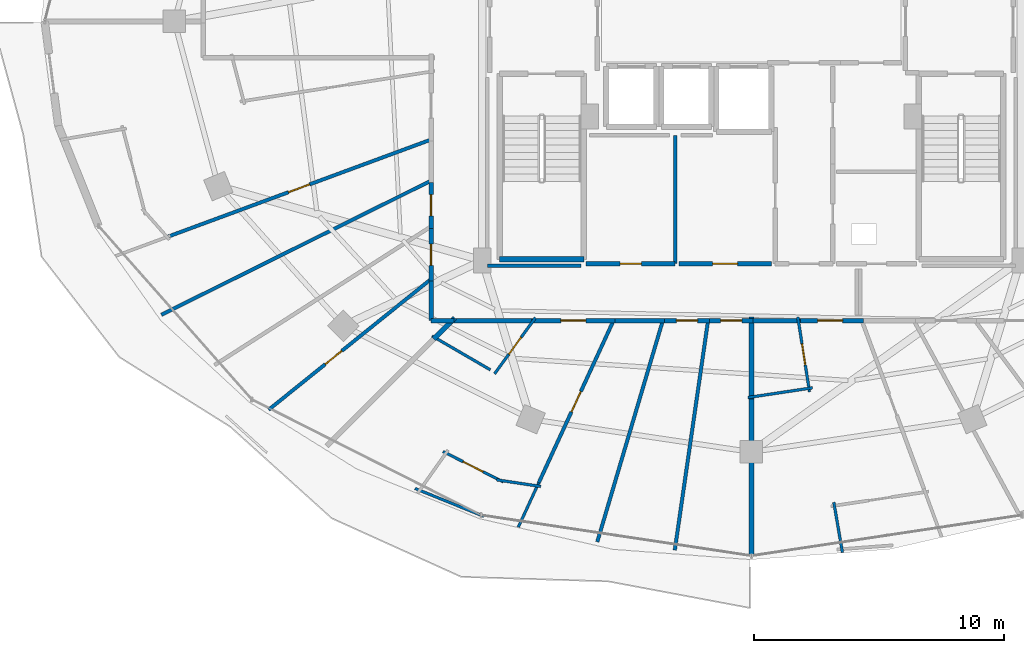
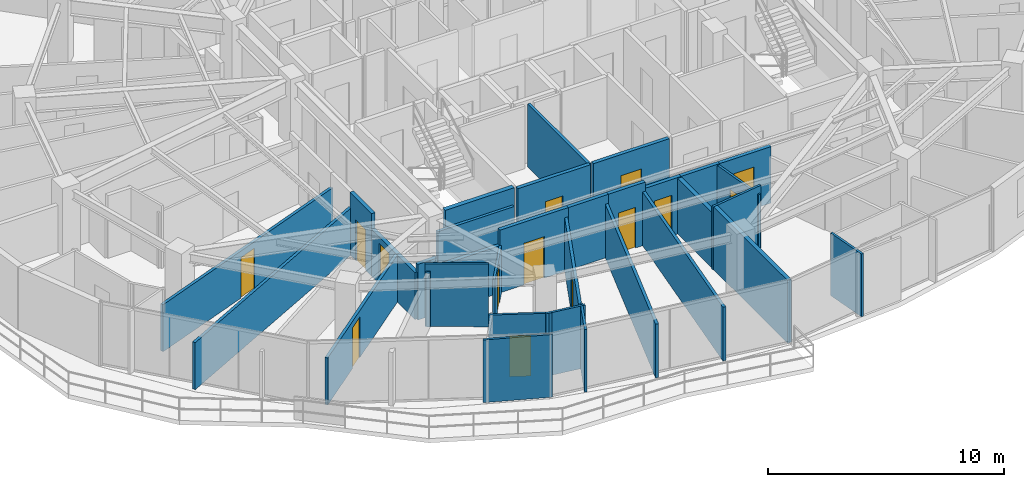
# One storey, part 24 of 34: 34 walls, 14 doors, 14 openings.
"""IFC4 building model written with IfcOpenShell, lengths in metres."""

from ifc_helpers import new_model, si_unit, direction, frame, frame_2d, origin, place, context, subcontext, project, spatial, rectangle, extrude, material, layer, layer_set, type_object, element, fill, save


model = new_model("IFC4")

# Units and contexts
model_context = context("Model", 3, precision=1e-05, world=origin(), true_north=direction((0.0, 1.0)))
body_context = subcontext(model_context, "Body", "Model", "MODEL_VIEW")
ifc_project = project(units=[si_unit("LENGTHUNIT", "METRE"), si_unit("AREAUNIT", "SQUARE_METRE"), si_unit("VOLUMEUNIT", "CUBIC_METRE"), si_unit("PLANEANGLEUNIT", "RADIAN"), si_unit("MASSUNIT", "GRAM", prefix="KILO")], contexts=[model_context])

# Site, building, storey
site_placement = place(None, origin())
site = spatial("IfcSite", under=ifc_project, at=site_placement, CompositionType="ELEMENT")
building_placement = place(site_placement, origin())
building = spatial("IfcBuilding", under=site, at=building_placement, Name="Vorneva Point Tower", CompositionType="ELEMENT")
storey_placement = place(building_placement, frame((0.0, 0.0, 186.10009765625)))
storey = spatial("IfcBuildingStorey", under=building, at=storey_placement, Name="L50", CompositionType="ELEMENT", Elevation=186.10009765625)

# Wall, opening, door
ifc_material_1 = material(Name="Fire-rated acoustic gypsum stud partition", Category="gypsum")
ifc_layer_1 = layer(ifc_material_1, 0.110107421875)
ifc_layer_set_1 = layer_set([ifc_layer_1], Name="Fire-rated acoustic gypsum stud partition")
wall_type_1 = type_object("IfcWallType", Name="WL-PART-110", PredefinedType="PARTITIONING", material=ifc_layer_set_1)
wall_1_placement = place(storey_placement, frame((29.37158203125, 14.1630859375, 0.0), z_axis=(0.0, 0.0, 1.0), x_axis=(-0.589066743954, -0.808084383693, 0.0)))
wall_1 = element("IfcWall", 1, at=wall_1_placement, inside=storey, type_object=wall_type_1, Name="L50 Interior Partition 163", PredefinedType="PARTITIONING", context=body_context, shape_type="SweptSolid", body=[
    extrude(rectangle(XDim=2.772216796875, YDim=0.110107421875, at=frame_2d((1.38623046875, 0.0))), origin(), (0.0, 0.0, 1.0), 2.431884765625),
])
opening_1_placement = place(wall_1_placement, frame((0.961181640625, 0.0, 0.0)))
opening_1 = element("IfcOpeningElement", 2, at=opening_1_placement, cuts=wall_1, Name="Opening ID-02", PredefinedType="OPENING", context=body_context, shape_type="SweptSolid", body=[
    extrude(rectangle(XDim=0.85009765625, YDim=2.10009765625, at=frame_2d((0.425048828125, 1.050048828125))), frame((0.0, 0.06982421875, 0.0), z_axis=(0.0, -1.0, 0.0), x_axis=(1.0, 0.0, 0.0)), (0.0, 0.0, 1.0), 0.139892578125),
])
ifc_material_2 = material(Name="Engineered oak fire-rated door leaf", Category="wood")
door_type_1 = type_object("IfcDoorType", Name="DR-BATH-850", OperationType="NOTDEFINED", PredefinedType="DOOR", material=ifc_material_2)
door_1_placement = place(opening_1_placement, origin())
door_1 = element("IfcDoor", 3, at=door_1_placement, inside=storey, type_object=door_type_1, Name="L50 Door Living and Dining Room L50-06 / Bathroom L50-06", OperationType="SINGLE_SWING_LEFT", OverallHeight=2.10009765625, OverallWidth=0.85009765625, PredefinedType="DOOR", context=body_context, shape_type="SweptSolid", body=[
    extrude(rectangle(XDim=0.85009765625, YDim=2.10009765625, at=frame_2d((0.425048828125, 1.050048828125))), frame((0.0, 0.02490234375, 0.0), z_axis=(0.0, -1.0, 0.0), x_axis=(1.0, 0.0, 0.0)), (0.0, 0.0, 1.0), 0.050048828125),
])
fill(opening_1, door_1)

# Wall
wall_2_placement = place(storey_placement, frame((27.568115234375, 12.08251953125, 0.0), z_axis=(0.0, 0.0, 1.0), x_axis=(-0.864515441931, 0.502606258082, 0.0)))
element("IfcWall", 4, at=wall_2_placement, inside=storey, type_object=wall_type_1, Name="L50 Interior Partition 164", PredefinedType="PARTITIONING", context=body_context, shape_type="SweptSolid", body=[
    extrude(rectangle(XDim=2.689697265625, YDim=0.110107421875, at=frame_2d((1.3447265625, 0.0))), origin(), (0.0, 0.0, 1.0), 3.239990234375),
])

# Wall, opening, door
wall_3_placement = place(storey_placement, frame((25.675048828125, 8.820068359375, 0.0), z_axis=(0.0, 0.0, 1.0), x_axis=(0.892628057427, -0.450793911999, 0.0)))
wall_3 = element("IfcWall", 5, at=wall_3_placement, inside=storey, type_object=wall_type_1, Name="L50 Interior Partition 166", PredefinedType="PARTITIONING", context=body_context, shape_type="SweptSolid", body=[
    extrude(rectangle(XDim=2.697509765625, YDim=0.110107421875, at=frame_2d((1.3486328125, 0.0))), origin(), (0.0, 0.0, 1.0), 3.239990234375),
])
opening_2_placement = place(wall_3_placement, frame((0.89892578125, 0.0, 0.0)))
opening_2 = element("IfcOpeningElement", 6, at=opening_2_placement, cuts=wall_3, Name="Opening ID-01", PredefinedType="OPENING", context=body_context, shape_type="SweptSolid", body=[
    extrude(rectangle(XDim=0.89990234375, YDim=2.10009765625, at=frame_2d((0.449951171875, 1.050048828125))), frame((0.0, 0.06982421875, 0.0), z_axis=(0.0, -1.0, 0.0), x_axis=(1.0, 0.0, 0.0)), (0.0, 0.0, 1.0), 0.139892578125),
])
door_type_2 = type_object("IfcDoorType", Name="DR-ROOM-900", OperationType="NOTDEFINED", PredefinedType="DOOR", material=ifc_material_2)
door_2_placement = place(opening_2_placement, origin())
door_2 = element("IfcDoor", 7, at=door_2_placement, inside=storey, type_object=door_type_2, Name="L50 Door Living and Dining Room L50-06 / Kitchen L50-06", OperationType="SINGLE_SWING_LEFT", OverallHeight=2.10009765625, OverallWidth=0.89990234375, PredefinedType="DOOR", context=body_context, shape_type="SweptSolid", body=[
    extrude(rectangle(XDim=0.89990234375, YDim=2.10009765625, at=frame_2d((0.449951171875, 1.050048828125))), frame((0.0, 0.02490234375, 0.0), z_axis=(0.0, -1.0, 0.0), x_axis=(1.0, 0.0, 0.0)), (0.0, 0.0, 1.0), 0.050048828125),
])
fill(opening_2, door_2)

# Walls
wall_4_placement = place(storey_placement, frame((27.819580078125, 7.68798828125, 0.0), z_axis=(0.0, 0.0, 1.0), x_axis=(0.988830695744, -0.149043131857, 0.0)))
element("IfcWall", 8, at=wall_4_placement, inside=storey, type_object=wall_type_1, Name="L50 Interior Partition 167", PredefinedType="PARTITIONING", context=body_context, shape_type="SweptSolid", body=[
    extrude(rectangle(XDim=1.783935546875, YDim=0.110107421875, at=frame_2d((0.89208984375, 0.0))), origin(), (0.0, 0.0, 1.0), 3.239990234375),
])
wall_5_placement = place(storey_placement, frame((29.503662109375, 7.570068359375, 0.0), z_axis=(0.0, 0.0, 1.0), x_axis=(-0.418662115749, -0.908142077451, 0.0)))
element("IfcWall", 9, at=wall_5_placement, inside=storey, type_object=wall_type_1, Name="L50 Interior Partition 168", PredefinedType="PARTITIONING", context=body_context, shape_type="SweptSolid", body=[
    extrude(rectangle(XDim=1.95458984375, YDim=0.110107421875, at=frame_2d((0.977294921875, 0.0))), origin(), (0.0, 0.0, 1.0), 3.239990234375),
])
wall_6_placement = place(storey_placement, frame((24.561279296875, 7.342529296875, 0.0), z_axis=(0.0, 0.0, 1.0), x_axis=(0.926858319785, -0.375411314487, 0.0)))
element("IfcWall", 10, at=wall_6_placement, inside=storey, type_object=wall_type_1, Name="L50 Interior Partition 169", PredefinedType="PARTITIONING", context=body_context, shape_type="SweptSolid", body=[
    extrude(rectangle(XDim=2.970703125, YDim=0.110107421875, at=frame_2d((1.4853515625, 0.0))), origin(), (0.0, 0.0, 1.0), 3.239990234375),
])

# Wall, opening, door
wall_7_placement = place(storey_placement, frame((39.851318359375, 14.188232421875, 0.0), z_axis=(0.0, 0.0, 1.0), x_axis=(0.154995605388, -0.98791515947, 0.0)))
wall_7 = element("IfcWall", 11, at=wall_7_placement, inside=storey, type_object=wall_type_1, Name="L50 Interior Partition 175", PredefinedType="PARTITIONING", context=body_context, shape_type="SweptSolid", body=[
    extrude(rectangle(XDim=3.021240234375, YDim=0.110107421875, at=frame_2d((1.5107421875, 0.0))), origin(), (0.0, 0.0, 1.0), 2.8740234375),
])
opening_3_placement = place(wall_7_placement, frame((1.085693359375, 0.0, 0.0)))
opening_3 = element("IfcOpeningElement", 12, at=opening_3_placement, cuts=wall_7, Name="Opening ID-02", PredefinedType="OPENING", context=body_context, shape_type="SweptSolid", body=[
    extrude(rectangle(XDim=0.85009765625, YDim=2.10009765625, at=frame_2d((0.425048828125, 1.050048828125))), frame((0.0, 0.06982421875, 0.0), z_axis=(0.0, -1.0, 0.0), x_axis=(1.0, 0.0, 0.0)), (0.0, 0.0, 1.0), 0.139892578125),
])
door_3_placement = place(opening_3_placement, origin())
door_3 = element("IfcDoor", 13, at=door_3_placement, inside=storey, type_object=door_type_1, Name="L50 Door Living and Dining Room L50-07 / Bathroom L50-07", OperationType="SINGLE_SWING_LEFT", OverallHeight=2.10009765625, OverallWidth=0.85009765625, PredefinedType="DOOR", context=body_context, shape_type="SweptSolid", body=[
    extrude(rectangle(XDim=0.85009765625, YDim=2.10009765625, at=frame_2d((0.425048828125, 1.050048828125))), frame((0.0, 0.02490234375, 0.0), z_axis=(0.0, -1.0, 0.0), x_axis=(1.0, 0.0, 0.0)), (0.0, 0.0, 1.0), 0.050048828125),
])
fill(opening_3, door_3)

# Walls
wall_8_placement = place(storey_placement, frame((40.436279296875, 11.36279296875, 0.0), z_axis=(0.0, 0.0, 1.0), x_axis=(-0.988852287037, -0.148899813371, 0.0)))
element("IfcWall", 14, at=wall_8_placement, inside=storey, type_object=wall_type_1, Name="L50 Interior Partition 176", PredefinedType="PARTITIONING", context=body_context, shape_type="SweptSolid", body=[
    extrude(rectangle(XDim=2.603759765625, YDim=0.110107421875, at=frame_2d((1.3017578125, 0.0))), origin(), (0.0, 0.0, 1.0), 3.239990234375),
])
wall_9_placement = place(storey_placement, frame((41.634521484375, 4.781982421875, 0.0), z_axis=(0.0, 0.0, 1.0), x_axis=(-0.168804313657, 0.985649584635, 0.0)))
element("IfcWall", 15, at=wall_9_placement, inside=storey, type_object=wall_type_1, Name="L50 Interior Partition 177", PredefinedType="PARTITIONING", context=body_context, shape_type="SweptSolid", body=[
    extrude(rectangle(XDim=2.039306640625, YDim=0.110107421875, at=frame_2d((1.01953125, 0.0))), origin(), (0.0, 0.0, 1.0), 3.239990234375),
])
ifc_layer_2 = layer(ifc_material_1, 0.139892578125)
ifc_layer_set_2 = layer_set([ifc_layer_2], Name="Fire-rated acoustic gypsum stud partition")
wall_type_2 = type_object("IfcWallType", Name="WL-PART-140", PredefinedType="PARTITIONING", material=ifc_layer_set_2)
wall_10_placement = place(storey_placement, frame((34.949951171875, 16.320068359375, 0.0), z_axis=(0.0, 0.0, 1.0), x_axis=(0.0, 1.0, 0.0)))
element("IfcWall", 16, at=wall_10_placement, inside=storey, type_object=wall_type_2, Name="L50 Interior Partition 031", PredefinedType="PARTITIONING", context=body_context, shape_type="SweptSolid", body=[
    extrude(rectangle(XDim=5.1298828125, YDim=0.139892578125, at=frame_2d((2.56494140625, 0.0))), origin(), (0.0, 0.0, 1.0), 3.239990234375),
])

# Wall, opening, door
wall_11_placement = place(storey_placement, frame((14.656982421875, 17.387939453125, 0.0), z_axis=(0.0, 0.0, 1.0), x_axis=(0.938173124492, 0.346166417322, 0.0)))
wall_11 = element("IfcWall", 17, at=wall_11_placement, inside=storey, type_object=wall_type_2, Name="L50 Interior Partition 156", PredefinedType="PARTITIONING", context=body_context, shape_type="SweptSolid", body=[
    extrude(rectangle(XDim=11.23779296875, YDim=0.139892578125, at=frame_2d((5.618896484375, 0.0))), origin(), (0.0, 0.0, 1.0), 2.431884765625),
])
opening_4_placement = place(wall_11_placement, frame((5.1689453125, 0.0, 0.0)))
opening_4 = element("IfcOpeningElement", 18, at=opening_4_placement, cuts=wall_11, Name="Opening ID-01", PredefinedType="OPENING", context=body_context, shape_type="SweptSolid", body=[
    extrude(rectangle(XDim=0.89990234375, YDim=2.10009765625, at=frame_2d((0.449951171875, 1.050048828125))), frame((0.0, 0.0849609375, 0.0), z_axis=(0.0, -1.0, 0.0), x_axis=(1.0, 0.0, 0.0)), (0.0, 0.0, 1.0), 0.169677734375),
])
door_4_placement = place(opening_4_placement, origin())
door_4 = element("IfcDoor", 19, at=door_4_placement, inside=storey, type_object=door_type_2, Name="L50 Door Living and Dining Room L50-05 / Master Bedroom L50-05.1", OperationType="SINGLE_SWING_RIGHT", OverallHeight=2.10009765625, OverallWidth=0.89990234375, PredefinedType="DOOR", context=body_context, shape_type="SweptSolid", body=[
    extrude(rectangle(XDim=0.89990234375, YDim=2.10009765625, at=frame_2d((0.449951171875, 1.050048828125))), frame((0.0, 0.02490234375, 0.0), z_axis=(0.0, -1.0, 0.0), x_axis=(1.0, 0.0, 0.0)), (0.0, 0.0, 1.0), 0.050048828125),
])
fill(opening_4, door_4)

# Wall
wall_12_placement = place(storey_placement, frame((14.427978515625, 14.280029296875, 0.0), z_axis=(0.0, 0.0, 1.0), x_axis=(0.895423439435, 0.44521552546, 0.0)))
element("IfcWall", 20, at=wall_12_placement, inside=storey, type_object=wall_type_2, Name="L50 Interior Partition 158", PredefinedType="PARTITIONING", context=body_context, shape_type="SweptSolid", body=[
    extrude(rectangle(XDim=12.030029296875, YDim=0.139892578125, at=frame_2d((6.01513671875, 0.0))), origin(), (0.0, 0.0, 1.0), 2.431884765625),
])

# Wall, opening, door
wall_13_placement = place(storey_placement, frame((18.715087890625, 10.487060546875, 0.0), z_axis=(0.0, 0.0, 1.0), x_axis=(0.779157389419, 0.626828335762, 0.0)))
wall_13 = element("IfcWall", 21, at=wall_13_placement, inside=storey, type_object=wall_type_2, Name="L50 Interior Partition 160", PredefinedType="PARTITIONING", context=body_context, shape_type="SweptSolid", body=[
    extrude(rectangle(XDim=8.322998046875, YDim=0.139892578125, at=frame_2d((4.16162109375, 0.0))), origin(), (0.0, 0.0, 1.0), 2.431884765625),
])
opening_5_placement = place(wall_13_placement, frame((2.896484375, 0.0, 0.0)))
opening_5 = element("IfcOpeningElement", 22, at=opening_5_placement, cuts=wall_13, Name="Opening ID-02", PredefinedType="OPENING", context=body_context, shape_type="SweptSolid", body=[
    extrude(rectangle(XDim=0.85009765625, YDim=2.10009765625, at=frame_2d((0.425048828125, 1.050048828125))), frame((0.0, 0.0849609375, 0.0), z_axis=(0.0, -1.0, 0.0), x_axis=(1.0, 0.0, 0.0)), (0.0, 0.0, 1.0), 0.169677734375),
])
door_5_placement = place(opening_5_placement, origin())
door_5 = element("IfcDoor", 23, at=door_5_placement, inside=storey, type_object=door_type_1, Name="L50 Access Door Bedroom L50-05.3", OperationType="SINGLE_SWING_LEFT", OverallHeight=2.10009765625, OverallWidth=0.85009765625, PredefinedType="DOOR", context=body_context, shape_type="SweptSolid", body=[
    extrude(rectangle(XDim=0.85009765625, YDim=2.10009765625, at=frame_2d((0.425048828125, 1.050048828125))), frame((0.0, 0.02490234375, 0.0), z_axis=(0.0, -1.0, 0.0), x_axis=(1.0, 0.0, 0.0)), (0.0, 0.0, 1.0), 0.050048828125),
])
fill(opening_5, door_5)

wall_14_placement = place(storey_placement, frame((29.503662109375, 7.570068359375, 0.0), z_axis=(0.0, 0.0, 1.0), x_axis=(0.418658902348, 0.908143558852, 0.0)))
wall_14 = element("IfcWall", 24, at=wall_14_placement, inside=storey, type_object=wall_type_2, Name="L50 Interior Partition 170", PredefinedType="PARTITIONING", context=body_context, shape_type="SweptSolid", body=[
    extrude(rectangle(XDim=7.135498046875, YDim=0.139892578125, at=frame_2d((3.56787109375, 0.0))), origin(), (0.0, 0.0, 1.0), 2.77392578125),
])
opening_6_placement = place(wall_14_placement, frame((3.11767578125, 0.0, 0.0)))
opening_6 = element("IfcOpeningElement", 25, at=opening_6_placement, cuts=wall_14, Name="Opening ID-01", PredefinedType="OPENING", context=body_context, shape_type="SweptSolid", body=[
    extrude(rectangle(XDim=0.89990234375, YDim=2.10009765625, at=frame_2d((0.449951171875, 1.050048828125))), frame((0.0, 0.0849609375, 0.0), z_axis=(0.0, -1.0, 0.0), x_axis=(1.0, 0.0, 0.0)), (0.0, 0.0, 1.0), 0.169677734375),
])
door_6_placement = place(opening_6_placement, origin())
door_6 = element("IfcDoor", 26, at=door_6_placement, inside=storey, type_object=door_type_2, Name="L50 Door Living and Dining Room L50-06 / Master Bedroom L50-06.1", OperationType="SINGLE_SWING_RIGHT", OverallHeight=2.10009765625, OverallWidth=0.89990234375, PredefinedType="DOOR", context=body_context, shape_type="SweptSolid", body=[
    extrude(rectangle(XDim=0.89990234375, YDim=2.10009765625, at=frame_2d((0.449951171875, 1.050048828125))), frame((0.0, 0.02490234375, 0.0), z_axis=(0.0, -1.0, 0.0), x_axis=(1.0, 0.0, 0.0)), (0.0, 0.0, 1.0), 0.050048828125),
])
fill(opening_6, door_6)

# Walls
wall_15_placement = place(storey_placement, frame((31.842041015625, 5.2099609375, 0.0), z_axis=(0.0, 0.0, 1.0), x_axis=(0.283952183478, 0.958838441813, 0.0)))
element("IfcWall", 27, at=wall_15_placement, inside=storey, type_object=wall_type_2, Name="L50 Interior Partition 171", PredefinedType="PARTITIONING", context=body_context, shape_type="SweptSolid", body=[
    extrude(rectangle(XDim=9.219482421875, YDim=0.139892578125, at=frame_2d((4.60986328125, 0.0))), origin(), (0.0, 0.0, 1.0), 2.77392578125),
])
wall_16_placement = place(storey_placement, frame((34.93798828125, 4.87890625, 0.0), z_axis=(0.0, 0.0, 1.0), x_axis=(0.143423836858, 0.989661357749, 0.0)))
element("IfcWall", 28, at=wall_16_placement, inside=storey, type_object=wall_type_2, Name="L50 Interior Partition 172", PredefinedType="PARTITIONING", context=body_context, shape_type="SweptSolid", body=[
    extrude(rectangle(XDim=9.266845703125, YDim=0.139892578125, at=frame_2d((4.63330078125, 0.0))), origin(), (0.0, 0.0, 1.0), 2.77392578125),
])
wall_17_placement = place(storey_placement, frame((27.449951171875, 16.239990234375, 0.0), z_axis=(0.0, 0.0, 1.0), x_axis=(1.0, 0.0, 0.0)))
element("IfcWall", 29, at=wall_17_placement, inside=storey, type_object=wall_type_2, Name="L50 Interior Closure Partition 213", PredefinedType="PARTITIONING", context=body_context, shape_type="SweptSolid", body=[
    extrude(rectangle(XDim=3.7451171875, YDim=0.139892578125, at=frame_2d((1.87255859375, 0.0))), origin(), (0.0, 0.0, 1.0), 2.431884765625),
])

# Wall, opening, door
ifc_material_3 = material(Name="Autoclaved aerated concrete blockwork", Category="masonry")
ifc_layer_3 = layer(ifc_material_3, 0.179931640625)
ifc_layer_set_3 = layer_set([ifc_layer_3], Name="Autoclaved aerated concrete blockwork")
wall_type_3 = type_object("IfcWallType", Name="WL-PART-180", PredefinedType="PARTITIONING", material=ifc_layer_set_3)
wall_18_placement = place(storey_placement, frame((31.39990234375, 16.320068359375, 0.0), z_axis=(0.0, 0.0, 1.0), x_axis=(1.0, 0.0, 0.0)))
wall_18 = element("IfcWall", 30, at=wall_18_placement, inside=storey, type_object=wall_type_3, Name="L50 Interior Partition 032", PredefinedType="PARTITIONING", context=body_context, shape_type="SweptSolid", body=[
    extrude(rectangle(XDim=3.550048828125, YDim=0.179931640625, at=frame_2d((1.77490234375, 0.0))), origin(), (0.0, 0.0, 1.0), 3.239990234375),
])
opening_7_placement = place(wall_18_placement, frame((1.35009765625, 0.0, 0.0)))
opening_7 = element("IfcOpeningElement", 31, at=opening_7_placement, cuts=wall_18, Name="Opening ID-02", PredefinedType="OPENING", context=body_context, shape_type="SweptSolid", body=[
    extrude(rectangle(XDim=0.85009765625, YDim=2.10009765625, at=frame_2d((0.425048828125, 1.050048828125))), frame((0.0, 0.10498046875, 0.0), z_axis=(0.0, -1.0, 0.0), x_axis=(1.0, 0.0, 0.0)), (0.0, 0.0, 1.0), 0.209716796875),
])
door_7_placement = place(opening_7_placement, origin())
door_7 = element("IfcDoor", 32, at=door_7_placement, inside=storey, type_object=door_type_1, Name="L50 Door Luggage Store / L50 Circulation Corridor", OperationType="SINGLE_SWING_LEFT", OverallHeight=2.10009765625, OverallWidth=0.85009765625, PredefinedType="DOOR", context=body_context, shape_type="SweptSolid", body=[
    extrude(rectangle(XDim=0.85009765625, YDim=2.10009765625, at=frame_2d((0.425048828125, 1.050048828125))), frame((0.0, 0.02490234375, 0.0), z_axis=(0.0, -1.0, 0.0), x_axis=(1.0, 0.0, 0.0)), (0.0, 0.0, 1.0), 0.050048828125),
])
fill(opening_7, door_7)

wall_19_placement = place(storey_placement, frame((35.10009765625, 16.320068359375, 0.0), z_axis=(0.0, 0.0, 1.0), x_axis=(1.0, 0.0, 0.0)))
wall_19 = element("IfcWall", 33, at=wall_19_placement, inside=storey, type_object=wall_type_3, Name="L50 Interior Partition 033", PredefinedType="PARTITIONING", context=body_context, shape_type="SweptSolid", body=[
    extrude(rectangle(XDim=3.699951171875, YDim=0.179931640625, at=frame_2d((1.85009765625, 0.0))), origin(), (0.0, 0.0, 1.0), 3.239990234375),
])
opening_8_placement = place(wall_19_placement, frame((1.35009765625, 0.0, 0.0)))
opening_8 = element("IfcOpeningElement", 34, at=opening_8_placement, cuts=wall_19, Name="Opening UD-01", PredefinedType="OPENING", context=body_context, shape_type="SweptSolid", body=[
    extrude(rectangle(XDim=1.0, YDim=2.14990234375, at=frame_2d((0.5, 1.074951171875))), frame((0.0, 0.10498046875, 0.0), z_axis=(0.0, -1.0, 0.0), x_axis=(1.0, 0.0, 0.0)), (0.0, 0.0, 1.0), 0.209716796875),
])
door_type_3 = type_object("IfcDoorType", Name="DR-UNIT-1000", OperationType="NOTDEFINED", PredefinedType="DOOR", material=ifc_material_2)
door_8_placement = place(opening_8_placement, origin())
door_8 = element("IfcDoor", 35, at=door_8_placement, inside=storey, type_object=door_type_3, Name="L50 Door Staff Service Pantry / L50 Circulation Corridor", OperationType="SINGLE_SWING_RIGHT", OverallHeight=2.14990234375, OverallWidth=1.0, PredefinedType="DOOR", context=body_context, shape_type="SweptSolid", body=[
    extrude(rectangle(XDim=1.0, YDim=2.14990234375, at=frame_2d((0.5, 1.074951171875))), frame((0.0, 0.02490234375, 0.0), z_axis=(0.0, -1.0, 0.0), x_axis=(1.0, 0.0, 0.0)), (0.0, 0.0, 1.0), 0.050048828125),
])
fill(opening_8, door_8)

wall_20_placement = place(storey_placement, frame((25.199951171875, 19.569091796875, 0.0), z_axis=(0.0, 0.0, 1.0), x_axis=(0.0, -1.0, 0.0)))
wall_20 = element("IfcWall", 36, at=wall_20_placement, inside=storey, type_object=wall_type_3, Name="L50 Interior Partition 072", PredefinedType="PARTITIONING", context=body_context, shape_type="SweptSolid", body=[
    extrude(rectangle(XDim=1.833984375, YDim=0.179931640625, at=frame_2d((0.9169921875, 0.0))), origin(), (0.0, 0.0, 1.0), 3.239990234375),
])
opening_9_placement = place(wall_20_placement, frame((0.491943359375, 0.0, 0.0)))
opening_9 = element("IfcOpeningElement", 37, at=opening_9_placement, cuts=wall_20, Name="Opening ID-02", PredefinedType="OPENING", context=body_context, shape_type="SweptSolid", body=[
    extrude(rectangle(XDim=0.85009765625, YDim=2.10009765625, at=frame_2d((0.425048828125, 1.050048828125))), frame((0.0, 0.10498046875, 0.0), z_axis=(0.0, -1.0, 0.0), x_axis=(1.0, 0.0, 0.0)), (0.0, 0.0, 1.0), 0.209716796875),
])
door_9_placement = place(opening_9_placement, origin())
door_9 = element("IfcDoor", 38, at=door_9_placement, inside=storey, type_object=door_type_1, Name="L50 Access Door L50 Circulation Corridor", OperationType="SINGLE_SWING_RIGHT", OverallHeight=2.10009765625, OverallWidth=0.85009765625, PredefinedType="DOOR", context=body_context, shape_type="SweptSolid", body=[
    extrude(rectangle(XDim=0.85009765625, YDim=2.10009765625, at=frame_2d((0.425048828125, 1.050048828125))), frame((0.0, 0.02490234375, 0.0), z_axis=(0.0, -1.0, 0.0), x_axis=(1.0, 0.0, 0.0)), (0.0, 0.0, 1.0), 0.050048828125),
])
fill(opening_9, door_9)

wall_21_placement = place(storey_placement, frame((25.199951171875, 17.735107421875, 0.0), z_axis=(0.0, 0.0, 1.0), x_axis=(0.0, -1.0, 0.0)))
wall_21 = element("IfcWall", 39, at=wall_21_placement, inside=storey, type_object=wall_type_3, Name="L50 Interior Partition 073", PredefinedType="PARTITIONING", context=body_context, shape_type="SweptSolid", body=[
    extrude(rectangle(XDim=2.108154296875, YDim=0.179931640625, at=frame_2d((1.05419921875, 0.0))), origin(), (0.0, 0.0, 1.0), 2.431884765625),
])
opening_10_placement = place(wall_21_placement, frame((0.62890625, 0.0, 0.0)))
opening_10 = element("IfcOpeningElement", 40, at=opening_10_placement, cuts=wall_21, Name="Opening ID-02", PredefinedType="OPENING", context=body_context, shape_type="SweptSolid", body=[
    extrude(rectangle(XDim=0.85009765625, YDim=2.10009765625, at=frame_2d((0.425048828125, 1.050048828125))), frame((0.0, 0.10498046875, 0.0), z_axis=(0.0, -1.0, 0.0), x_axis=(1.0, 0.0, 0.0)), (0.0, 0.0, 1.0), 0.209716796875),
])
door_10_placement = place(opening_10_placement, origin())
door_10 = element("IfcDoor", 41, at=door_10_placement, inside=storey, type_object=door_type_1, Name="L50 Access Door L50 Circulation Corridor", OperationType="SINGLE_SWING_LEFT", OverallHeight=2.10009765625, OverallWidth=0.85009765625, PredefinedType="DOOR", context=body_context, shape_type="SweptSolid", body=[
    extrude(rectangle(XDim=0.85009765625, YDim=2.10009765625, at=frame_2d((0.425048828125, 1.050048828125))), frame((0.0, 0.02490234375, 0.0), z_axis=(0.0, -1.0, 0.0), x_axis=(1.0, 0.0, 0.0)), (0.0, 0.0, 1.0), 0.050048828125),
])
fill(opening_10, door_10)

# Walls
wall_22_placement = place(storey_placement, frame((25.199951171875, 15.626953125, 0.0), z_axis=(0.0, 0.0, 1.0), x_axis=(0.0, -1.0, 0.0)))
element("IfcWall", 42, at=wall_22_placement, inside=storey, type_object=wall_type_3, Name="L50 Interior Partition 074", PredefinedType="PARTITIONING", context=body_context, shape_type="SweptSolid", body=[
    extrude(rectangle(XDim=1.576904296875, YDim=0.179931640625, at=frame_2d((0.78857421875, 0.0))), origin(), (0.0, 0.0, 1.0), 2.431884765625),
])
wall_23_placement = place(storey_placement, frame((25.199951171875, 14.050048828125, 0.0), z_axis=(0.0, 0.0, 1.0), x_axis=(1.0, 0.0, 0.0)))
element("IfcWall", 43, at=wall_23_placement, inside=storey, type_object=wall_type_3, Name="L50 Interior Partition 075", PredefinedType="PARTITIONING", context=body_context, shape_type="SweptSolid", body=[
    extrude(rectangle(XDim=0.91015625, YDim=0.179931640625, at=frame_2d((0.455078125, 0.0))), origin(), (0.0, 0.0, 1.0), 2.8740234375),
])

# Wall, opening, door
wall_24_placement = place(storey_placement, frame((29.215087890625, 14.050048828125, 0.0), z_axis=(0.0, 0.0, 1.0), x_axis=(1.0, 0.0, 0.0)))
wall_24 = element("IfcWall", 44, at=wall_24_placement, inside=storey, type_object=wall_type_3, Name="L50 Interior Partition 076", PredefinedType="PARTITIONING", context=body_context, shape_type="SweptSolid", body=[
    extrude(rectangle(XDim=3.3359375, YDim=0.179931640625, at=frame_2d((1.66796875, 0.0))), origin(), (0.0, 0.0, 1.0), 3.239990234375),
])
opening_11_placement = place(wall_24_placement, frame((1.16796875, 0.0, 0.0)))
opening_11 = element("IfcOpeningElement", 45, at=opening_11_placement, cuts=wall_24, Name="Opening UD-01", PredefinedType="OPENING", context=body_context, shape_type="SweptSolid", body=[
    extrude(rectangle(XDim=1.0, YDim=2.14990234375, at=frame_2d((0.5, 1.074951171875))), frame((0.0, 0.10498046875, 0.0), z_axis=(0.0, -1.0, 0.0), x_axis=(1.0, 0.0, 0.0)), (0.0, 0.0, 1.0), 0.209716796875),
])
door_11_placement = place(opening_11_placement, origin())
door_11 = element("IfcDoor", 46, at=door_11_placement, inside=storey, type_object=door_type_3, Name="L50 Door L50 Circulation Corridor / Living and Dining Room L50-06", OperationType="SINGLE_SWING_LEFT", OverallHeight=2.14990234375, OverallWidth=1.0, PredefinedType="DOOR", context=body_context, shape_type="SweptSolid", body=[
    extrude(rectangle(XDim=1.0, YDim=2.14990234375, at=frame_2d((0.5, 1.074951171875))), frame((0.0, 0.02490234375, 0.0), z_axis=(0.0, -1.0, 0.0), x_axis=(1.0, 0.0, 0.0)), (0.0, 0.0, 1.0), 0.050048828125),
])
fill(opening_11, door_11)

# Walls
wall_25_placement = place(storey_placement, frame((25.969970703125, 14.050048828125, 0.0), z_axis=(0.0, 0.0, 1.0), x_axis=(1.0, 0.0, 0.0)))
element("IfcWall", 47, at=wall_25_placement, inside=storey, type_object=wall_type_3, Name="L50 Interior Partition 077", PredefinedType="PARTITIONING", context=body_context, shape_type="SweptSolid", body=[
    extrude(rectangle(XDim=3.385009765625, YDim=0.179931640625, at=frame_2d((1.6923828125, 0.0))), origin(), (0.0, 0.0, 1.0), 2.431884765625),
])
wall_26_placement = place(storey_placement, frame((32.551025390625, 14.050048828125, 0.0), z_axis=(0.0, 0.0, 1.0), x_axis=(1.0, 0.0, 0.0)))
element("IfcWall", 48, at=wall_26_placement, inside=storey, type_object=wall_type_3, Name="L50 Interior Partition 078", PredefinedType="PARTITIONING", context=body_context, shape_type="SweptSolid", body=[
    extrude(rectangle(XDim=1.968994140625, YDim=0.179931640625, at=frame_2d((0.984375, 0.0))), origin(), (0.0, 0.0, 1.0), 3.239990234375),
])

# Wall, opening, door
wall_27_placement = place(storey_placement, frame((34.52001953125, 14.050048828125, 0.0), z_axis=(0.0, 0.0, 1.0), x_axis=(1.0, 0.0, 0.0)))
wall_27 = element("IfcWall", 49, at=wall_27_placement, inside=storey, type_object=wall_type_3, Name="L50 Interior Partition 079", PredefinedType="PARTITIONING", context=body_context, shape_type="SweptSolid", body=[
    extrude(rectangle(XDim=1.806884765625, YDim=0.179931640625, at=frame_2d((0.9033203125, 0.0))), origin(), (0.0, 0.0, 1.0), 3.239990234375),
])
opening_12_placement = place(wall_27_placement, frame((0.478515625, 0.0, 0.0)))
opening_12 = element("IfcOpeningElement", 50, at=opening_12_placement, cuts=wall_27, Name="Opening ID-02", PredefinedType="OPENING", context=body_context, shape_type="SweptSolid", body=[
    extrude(rectangle(XDim=0.85009765625, YDim=2.10009765625, at=frame_2d((0.425048828125, 1.050048828125))), frame((0.0, 0.10498046875, 0.0), z_axis=(0.0, -1.0, 0.0), x_axis=(1.0, 0.0, 0.0)), (0.0, 0.0, 1.0), 0.209716796875),
])
door_12_placement = place(opening_12_placement, origin())
door_12 = element("IfcDoor", 51, at=door_12_placement, inside=storey, type_object=door_type_1, Name="L50 Access Door L50 Circulation Corridor", OperationType="SINGLE_SWING_RIGHT", OverallHeight=2.10009765625, OverallWidth=0.85009765625, PredefinedType="DOOR", context=body_context, shape_type="SweptSolid", body=[
    extrude(rectangle(XDim=0.85009765625, YDim=2.10009765625, at=frame_2d((0.425048828125, 1.050048828125))), frame((0.0, 0.02490234375, 0.0), z_axis=(0.0, -1.0, 0.0), x_axis=(1.0, 0.0, 0.0)), (0.0, 0.0, 1.0), 0.050048828125),
])
fill(opening_12, door_12)

wall_28_placement = place(storey_placement, frame((36.326904296875, 14.050048828125, 0.0), z_axis=(0.0, 0.0, 1.0), x_axis=(1.0, 0.0, 0.0)))
wall_28 = element("IfcWall", 52, at=wall_28_placement, inside=storey, type_object=wall_type_3, Name="L50 Interior Partition 080", PredefinedType="PARTITIONING", context=body_context, shape_type="SweptSolid", body=[
    extrude(rectangle(XDim=1.733154296875, YDim=0.179931640625, at=frame_2d((0.86669921875, 0.0))), origin(), (0.0, 0.0, 1.0), 2.921875),
])
opening_13_placement = place(wall_28_placement, frame((0.44140625, 0.0, 0.0)))
opening_13 = element("IfcOpeningElement", 53, at=opening_13_placement, cuts=wall_28, Name="Opening ID-02", PredefinedType="OPENING", context=body_context, shape_type="SweptSolid", body=[
    extrude(rectangle(XDim=0.85009765625, YDim=2.10009765625, at=frame_2d((0.425048828125, 1.050048828125))), frame((0.0, 0.10498046875, 0.0), z_axis=(0.0, -1.0, 0.0), x_axis=(1.0, 0.0, 0.0)), (0.0, 0.0, 1.0), 0.209716796875),
])
door_13_placement = place(opening_13_placement, origin())
door_13 = element("IfcDoor", 54, at=door_13_placement, inside=storey, type_object=door_type_1, Name="L50 Access Door L50 Circulation Corridor", OperationType="SINGLE_SWING_LEFT", OverallHeight=2.10009765625, OverallWidth=0.85009765625, PredefinedType="DOOR", context=body_context, shape_type="SweptSolid", body=[
    extrude(rectangle(XDim=0.85009765625, YDim=2.10009765625, at=frame_2d((0.425048828125, 1.050048828125))), frame((0.0, 0.02490234375, 0.0), z_axis=(0.0, -1.0, 0.0), x_axis=(1.0, 0.0, 0.0)), (0.0, 0.0, 1.0), 0.050048828125),
])
fill(opening_13, door_13)

wall_29_placement = place(storey_placement, frame((39.81298828125, 14.050048828125, 0.0), z_axis=(0.0, 0.0, 1.0), x_axis=(1.0, 0.0, 0.0)))
wall_29 = element("IfcWall", 55, at=wall_29_placement, inside=storey, type_object=wall_type_3, Name="L50 Interior Partition 081", PredefinedType="PARTITIONING", context=body_context, shape_type="SweptSolid", body=[
    extrude(rectangle(XDim=2.659912109375, YDim=0.179931640625, at=frame_2d((1.330078125, 0.0))), origin(), (0.0, 0.0, 1.0), 2.921875),
])
opening_14_placement = place(wall_29_placement, frame((0.830078125, 0.0, 0.0)))
opening_14 = element("IfcOpeningElement", 56, at=opening_14_placement, cuts=wall_29, Name="Opening UD-01", PredefinedType="OPENING", context=body_context, shape_type="SweptSolid", body=[
    extrude(rectangle(XDim=1.0, YDim=2.14990234375, at=frame_2d((0.5, 1.074951171875))), frame((0.0, 0.10498046875, 0.0), z_axis=(0.0, -1.0, 0.0), x_axis=(1.0, 0.0, 0.0)), (0.0, 0.0, 1.0), 0.209716796875),
])
door_14_placement = place(opening_14_placement, origin())
door_14 = element("IfcDoor", 57, at=door_14_placement, inside=storey, type_object=door_type_3, Name="L50 Door L50 Circulation Corridor / Living and Dining Room L50-07", OperationType="SINGLE_SWING_RIGHT", OverallHeight=2.14990234375, OverallWidth=1.0, PredefinedType="DOOR", context=body_context, shape_type="SweptSolid", body=[
    extrude(rectangle(XDim=1.0, YDim=2.14990234375, at=frame_2d((0.5, 1.074951171875))), frame((0.0, 0.02490234375, 0.0), z_axis=(0.0, -1.0, 0.0), x_axis=(1.0, 0.0, 0.0)), (0.0, 0.0, 1.0), 0.050048828125),
])
fill(opening_14, door_14)

# Walls
wall_30_placement = place(storey_placement, frame((37.919921875, 14.050048828125, 0.0), z_axis=(0.0, 0.0, 1.0), x_axis=(1.0, 0.0, 0.0)))
element("IfcWall", 58, at=wall_30_placement, inside=storey, type_object=wall_type_3, Name="L50 Interior Partition 082", PredefinedType="PARTITIONING", context=body_context, shape_type="SweptSolid", body=[
    extrude(rectangle(XDim=2.032958984375, YDim=0.179931640625, at=frame_2d((1.0166015625, 0.0))), origin(), (0.0, 0.0, 1.0), 2.921875),
])
ifc_layer_4 = layer(ifc_material_3, 0.199951171875)
ifc_layer_set_4 = layer_set([ifc_layer_4], Name="Autoclaved aerated concrete blockwork")
wall_type_4 = type_object("IfcWallType", Name="WL-PART-200", PredefinedType="PARTITIONING", material=ifc_layer_set_4)
wall_31_placement = place(storey_placement, frame((25.30908203125, 13.30908203125, 0.0), z_axis=(0.0, 0.0, 1.0), x_axis=(0.707106781187, 0.707106781187, 0.0)))
element("IfcWall", 59, at=wall_31_placement, inside=storey, type_object=wall_type_4, Name="L50 Interior Partition 162", PredefinedType="PARTITIONING", context=body_context, shape_type="SweptSolid", body=[
    extrude(rectangle(XDim=1.187744140625, YDim=0.199951171875, at=frame_2d((0.59375, 0.0))), origin(), (0.0, 0.0, 1.0), 2.8740234375),
])
wall_32_placement = place(storey_placement, frame((38.0, 4.64990234375, 0.0), z_axis=(0.0, 0.0, 1.0), x_axis=(0.0, 1.0, 0.0)))
element("IfcWall", 60, at=wall_32_placement, inside=storey, type_object=wall_type_4, Name="L50 Interior Partition 173", PredefinedType="PARTITIONING", context=body_context, shape_type="SweptSolid", body=[
    extrude(rectangle(XDim=6.406982421875, YDim=0.199951171875, at=frame_2d((3.20361328125, 0.0))), origin(), (0.0, 0.0, 1.0), 3.239990234375),
])
wall_33_placement = place(storey_placement, frame((38.0, 10.9169921875, 0.0), z_axis=(0.0, 0.0, 1.0), x_axis=(0.0, 1.0, 0.0)))
element("IfcWall", 61, at=wall_33_placement, inside=storey, type_object=wall_type_4, Name="L50 Interior Partition 174", PredefinedType="PARTITIONING", context=body_context, shape_type="SweptSolid", body=[
    extrude(rectangle(XDim=3.27294921875, YDim=0.199951171875, at=frame_2d((1.636474609375, 0.0))), origin(), (0.0, 0.0, 1.0), 2.8740234375),
])
ifc_material_4 = material(Name="Concrete B50 (C40/50)", Category="concrete")
ifc_layer_5 = layer(ifc_material_4, 0.219970703125)
ifc_layer_set_5 = layer_set([ifc_layer_5], Name="Concrete B50 (C40/50)")
wall_type_5 = type_object("IfcWallType", Name="WL-SHFT-220", PredefinedType="SOLIDWALL", material=ifc_layer_set_5)
wall_34_placement = place(storey_placement, frame((31.31005859375, 16.489990234375, 0.0), z_axis=(0.0, 0.0, 1.0), x_axis=(-1.0, 0.0, 0.0)))
element("IfcWall", 62, at=wall_34_placement, inside=storey, type_object=wall_type_5, Name="L50 Exit Stair ST1 Shaft Wall far", PredefinedType="SOLIDWALL", context=body_context, shape_type="SweptSolid", body=[
    extrude(rectangle(XDim=3.3701171875, YDim=0.219970703125, at=frame_2d((1.68505859375, 0.0))), origin(), (0.0, 0.0, 1.0), 3.239990234375),
])

save(model, "model.ifc")
